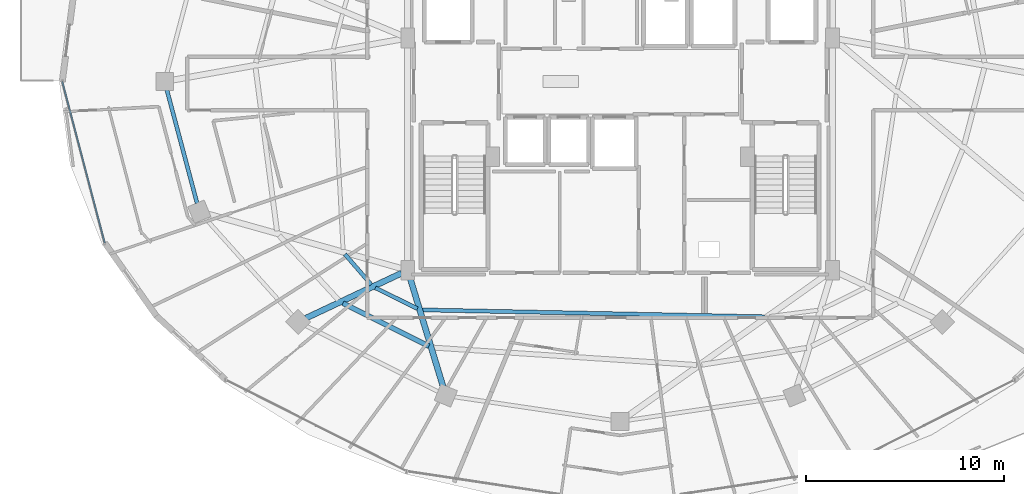
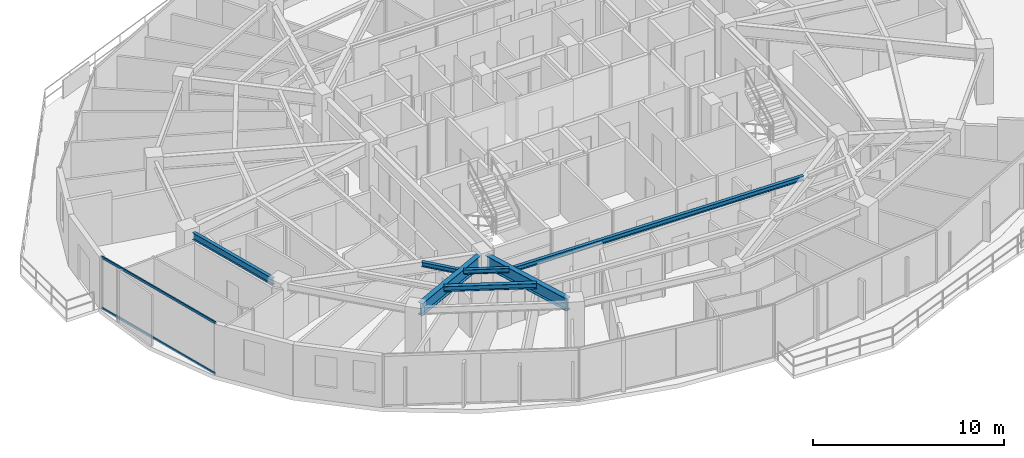
# One storey, part 6 of 34: 7 beams, 2 members, 1 element without a shape of its own.
"""IFC4 building model written with IfcOpenShell, lengths in metres."""

import ifcopenshell
import ifcopenshell.guid

model = None  # the IFC model being written
_history = None  # IfcOwnerHistory: only IFC2X3 demands one
_inside = {}  # id of a spatial element -> (the spatial element, [elements in it])
_under = {}  # id of a project, library or spatial element -> (it, [spatial elements below it])
_declared = {}  # id of a project -> (the project, [libraries it declares])
_typed = {}  # id of a type object -> (the type object, [elements of that type])
_made_of = {}  # id of a material, layer set ... -> (it, [elements and type objects made of it])


def new_model(schema):
    """Start an empty IFC model of exactly this schema.

    Asked for "IFC4X3", IfcOpenShell would pick the latest addendum, in which some entities
    have other attributes; the version numbers below select the first issue.
    IFC2X3 requires an IfcOwnerHistory on every rooted entity: one is made here for all.
    """
    global model, _history
    if schema == "IFC4X3":
        model = ifcopenshell.file(schema_version=(4, 3, 0, 0))
    else:
        model = ifcopenshell.file(schema=schema)
    _inside.clear()
    _under.clear()
    _declared.clear()
    _typed.clear()
    _made_of.clear()
    _history = None
    if model.schema == "IFC2X3":
        org = make("IfcOrganization", Name="unknown")
        user = make(
            "IfcPersonAndOrganization",
            ThePerson=make("IfcPerson", FamilyName="unknown"),
            TheOrganization=org,
        )
        app = make(
            "IfcApplication",
            ApplicationDeveloper=org,
            Version="unknown",
            ApplicationFullName="unknown",
            ApplicationIdentifier="unknown",
        )
        _history = make(
            "IfcOwnerHistory",
            OwningUser=user,
            OwningApplication=app,
            ChangeAction="ADDED",
            CreationDate=0,
        )
    return model


def make(cls, **values):
    """One entity of the class cls with the attributes given. An attribute that is None is left unset."""
    return model.create_entity(
        cls, **{name: value for name, value in values.items() if value is not None}
    )


def rooted(cls, **values):
    """An entity with a GlobalId (a new one), such as an element, a storey or a relation."""
    return make(cls, GlobalId=ifcopenshell.guid.new(), OwnerHistory=_history, **values)


def si_unit(unit_type, name, prefix=None):
    """IfcSIUnit, for example si_unit("LENGTHUNIT", "METRE", prefix="MILLI")."""
    return make("IfcSIUnit", UnitType=unit_type, Prefix=prefix, Name=name)


def assignment(units):
    """IfcUnitAssignment: the units of a project."""
    return None if units is None else make("IfcUnitAssignment", Units=units)


def point(xyz):
    """IfcCartesianPoint."""
    return None if xyz is None else make("IfcCartesianPoint", Coordinates=xyz)


def direction(xyz):
    """IfcDirection."""
    return None if xyz is None else make("IfcDirection", DirectionRatios=xyz)


def frame(location, z_axis=None, x_axis=None):
    """IfcAxis2Placement3D, a coordinate frame: its origin and axes. An axis left out is left unset."""
    return make(
        "IfcAxis2Placement3D",
        Location=point(location),
        Axis=direction(z_axis),
        RefDirection=direction(x_axis),
    )


def frame_2d(location, x_axis=None):
    """IfcAxis2Placement2D, a coordinate frame in the plane: its origin and x axis."""
    return make(
        "IfcAxis2Placement2D", Location=point(location), RefDirection=direction(x_axis)
    )


def origin():
    """The frame at (0, 0, 0) with its axes left unset."""
    return frame((0.0, 0.0, 0.0))


def origin_2d():
    """The frame at (0, 0) in the plane with its x axis left unset."""
    return frame_2d((0.0, 0.0))


def place(relative_to, where):
    """IfcLocalPlacement: puts the frame where relative to a parent placement (None: the world)."""
    return make(
        "IfcLocalPlacement", PlacementRelTo=relative_to, RelativePlacement=where
    )


def context(
    kind, dimensions, precision=None, world=None, true_north=None, identifier=None
):
    """IfcGeometricRepresentationContext, for example the 3D "Model" context."""
    return make(
        "IfcGeometricRepresentationContext",
        ContextIdentifier=identifier,
        ContextType=kind,
        CoordinateSpaceDimension=dimensions,
        Precision=precision,
        WorldCoordinateSystem=world,
        TrueNorth=true_north,
    )


def subcontext(parent, identifier, kind, view, scale=None):
    """IfcGeometricRepresentationSubContext, for example "Body" below "Model"."""
    return make(
        "IfcGeometricRepresentationSubContext",
        ContextIdentifier=identifier,
        ContextType=kind,
        ParentContext=parent,
        TargetScale=scale,
        TargetView=view,
    )


def project(units=None, contexts=None):
    """IfcProject with its units and contexts."""
    return rooted(
        "IfcProject",
        Name="project",
        RepresentationContexts=contexts,
        UnitsInContext=assignment(units),
    )


def spatial(cls, under=None, at=None, **own):
    """A site, building, storey or space (cls), placed at a placement, below another one or the project."""
    s = rooted(cls, ObjectPlacement=at, **own)
    if under is not None:
        _under.setdefault(under.id(), (under, []))[1].append(s)
    return s


def profile(cls, at=None, kind="AREA", **sizes):
    """A parametric profile (cls). Its sizes go by their IFC names, for example OverallWidth=200.0."""
    return make(cls, ProfileType=kind, Position=at, **sizes)


def hollow_rectangle(**sizes):
    """IfcRectangleHollowProfileDef."""
    return profile("IfcRectangleHollowProfileDef", **sizes)


def i_section(**sizes):
    """IfcIShapeProfileDef."""
    return profile("IfcIShapeProfileDef", **sizes)


def extrude(swept, where, along, depth):
    """IfcExtrudedAreaSolid: the profile swept, set in the frame where, extruded along a direction by depth."""
    return make(
        "IfcExtrudedAreaSolid",
        SweptArea=swept,
        Position=where,
        ExtrudedDirection=direction(along),
        Depth=depth,
    )


def shape(context_of_items, identifier, shape_type, items):
    """IfcShapeRepresentation: the items that make up one representation, for example the "Body"."""
    return make(
        "IfcShapeRepresentation",
        ContextOfItems=context_of_items,
        RepresentationIdentifier=identifier,
        RepresentationType=shape_type,
        Items=items,
    )


def material(Name=None, Category=None):
    """IfcMaterial."""
    return make("IfcMaterial", Name=Name, Category=Category)


def material_profile(
    of_material, cross_section, Name=None, Category=None, Priority=None
):
    """IfcMaterialProfile: a cross section and its material."""
    return make(
        "IfcMaterialProfile",
        Name=Name,
        Material=of_material,
        Profile=cross_section,
        Priority=Priority,
        Category=Category,
    )


def profile_set(profiles, Name=None, composite=None):
    """IfcMaterialProfileSet."""
    return make(
        "IfcMaterialProfileSet",
        Name=Name,
        MaterialProfiles=profiles,
        CompositeProfile=composite,
    )


def made_of(thing, what):
    """Note that an element or type object is made of a material, layer set ...; save() writes the relation."""
    if what is not None:
        _made_of.setdefault(what.id(), (what, []))[1].append(thing)
    return thing


def type_object(cls, material=None, **own):
    """A type object (cls), such as IfcWallType, which elements share."""
    return made_of(rooted(cls, **own), material)


def element(
    cls,
    number,
    at=None,
    inside=None,
    cuts=None,
    type_object=None,
    material=None,
    context=None,
    identifier="Body",
    shape_type=None,
    held_by="IfcProductDefinitionShape",
    body=None,
    shapes=None,
    **own,
):
    """One element of the class cls, such as IfcWall. Its Tag is "e" and its number.

    at: its placement. inside: the storey or other place that contains it. cuts: it is an
    opening in that element (IfcRelVoidsElement). A single representation is given by context,
    identifier, shape_type and body (its items); several are given by shapes. held_by: the class
    of the entity that holds the representations. save() writes the other relations.
    """
    e = rooted(cls, Tag="e%d" % number, ObjectPlacement=at, **own)
    if body is not None:
        shapes = [shape(context, identifier, shape_type, body)]
    if shapes is not None:
        e.Representation = make(held_by, Representations=shapes)
    if inside is not None:
        _inside.setdefault(inside.id(), (inside, []))[1].append(e)
    if cuts is not None:
        rooted(
            "IfcRelVoidsElement", RelatingBuildingElement=cuts, RelatedOpeningElement=e
        )
    if type_object is not None:
        _typed.setdefault(type_object.id(), (type_object, []))[1].append(e)
    return made_of(e, material)


def aggregate(whole, parts):
    """IfcRelAggregates: a whole, such as a stair, and the parts it consists of."""
    return rooted("IfcRelAggregates", RelatingObject=whole, RelatedObjects=parts)


def save(model, path):
    """Write the relations noted so far, then the file.

    IfcRelAggregates (storeys below a building ...), IfcRelContainedInSpatialStructure (elements
    in a storey), IfcRelDefinesByType, IfcRelAssociatesMaterial and IfcRelDeclares: one each for
    every whole, place, type object, material and project.
    """
    for whole, parts in _under.values():
        aggregate(whole, parts)
    for where, things in _inside.values():
        rooted(
            "IfcRelContainedInSpatialStructure",
            RelatedElements=things,
            RelatingStructure=where,
        )
    for kind, things in _typed.values():
        rooted("IfcRelDefinesByType", RelatedObjects=things, RelatingType=kind)
    for what, things in _made_of.values():
        rooted("IfcRelAssociatesMaterial", RelatedObjects=things, RelatingMaterial=what)
    for by, libraries in _declared.values():
        rooted("IfcRelDeclares", RelatingContext=by, RelatedDefinitions=libraries)
    model.write(path)


model = new_model("IFC4")

# Units and contexts
model_context = context("Model", 3, precision=1e-05, world=origin(), true_north=direction((0.0, 1.0)))
body_context = subcontext(model_context, "Body", "Model", "MODEL_VIEW")
ifc_project = project(units=[si_unit("LENGTHUNIT", "METRE"), si_unit("AREAUNIT", "SQUARE_METRE"), si_unit("VOLUMEUNIT", "CUBIC_METRE"), si_unit("PLANEANGLEUNIT", "RADIAN"), si_unit("MASSUNIT", "GRAM", prefix="KILO")], contexts=[model_context])

# Site, building, storey
site_placement = place(None, origin())
site = spatial("IfcSite", under=ifc_project, at=site_placement, CompositionType="ELEMENT")
building_placement = place(site_placement, origin())
building = spatial("IfcBuilding", under=site, at=building_placement, Name="Vorneva Point Tower", CompositionType="ELEMENT")
storey_placement = place(building_placement, frame((0.0, 0.0, 214.300048828125)))
storey = spatial("IfcBuildingStorey", under=building, at=storey_placement, Name="L58", CompositionType="ELEMENT", Elevation=214.300048828125)

# Beams
ifc_material_1 = material(Name="Steel S355", Category="steel")
ifc_material_profile_1 = material_profile(ifc_material_1, i_section(OverallWidth=0.300048828125, OverallDepth=0.7880859375, WebThickness=0.014404296875, FlangeThickness=0.02197265625, at=origin_2d()), Name="80Sh1")
ifc_profile_set_1 = profile_set([ifc_material_profile_1], Name="Steel S355")
beam_type_1 = type_object("IfcBeamType", Name="BM-GRD-80Sh1", PredefinedType="USERDEFINED", material=ifc_profile_set_1)
beam_1_placement = place(storey_placement, frame((22.097412109375, 14.0244140625, 2.89599609375), z_axis=(0.904762899762, 0.42591559635, 0.0), x_axis=(-0.42591559635, 0.904762899762, 0.0)))
element("IfcBeam", 1, at=beam_1_placement, inside=storey, type_object=beam_type_1, Name="L58 Radial Primary Girder 11", ObjectType="GIRDER", PredefinedType="USERDEFINED", context=body_context, shape_type="SweptSolid", body=[
    extrude(i_section(OverallWidth=0.300048828125, OverallDepth=0.7880859375, WebThickness=0.014404296875, FlangeThickness=0.02197265625, at=origin_2d()), origin(), (0.0, 0.0, 1.0), 5.35498046875),
])
beam_2_placement = place(storey_placement, frame((29.051513671875, 10.5283203125, 2.89599609375), z_axis=(-0.291025429135, 0.956715317948, 0.0), x_axis=(-0.956715317948, -0.291025429135, 0.0)))
element("IfcBeam", 2, at=beam_2_placement, inside=storey, type_object=beam_type_1, Name="L58 Radial Primary Girder 12", ObjectType="GIRDER", PredefinedType="USERDEFINED", context=body_context, shape_type="SweptSolid", body=[
    extrude(i_section(OverallWidth=0.300048828125, OverallDepth=0.7880859375, WebThickness=0.014404296875, FlangeThickness=0.02197265625, at=origin_2d()), origin(), (0.0, 0.0, 1.0), 5.849609375),
])
ifc_material_profile_2 = material_profile(ifc_material_1, i_section(OverallWidth=0.199951171875, OverallDepth=0.291015625, WebThickness=0.008056640625, FlangeThickness=0.010986328125, at=origin_2d()), Name="30Sh1")
ifc_profile_set_2 = profile_set([ifc_material_profile_2], Name="Steel S355")
beam_type_2 = type_object("IfcBeamType", Name="BM-SEC-30Sh1", PredefinedType="BEAM", material=ifc_profile_set_2)
beam_3_placement = place(storey_placement, frame((24.07373046875, 17.2646484375, 3.14453125), z_axis=(0.652492456858, -0.757795218871, 0.0), x_axis=(0.757795218871, 0.652492456858, 0.0)))
element("IfcBeam", 3, at=beam_3_placement, inside=storey, type_object=beam_type_2, Name="L58 Secondary Floor Beam 2.10", PredefinedType="BEAM", context=body_context, shape_type="SweptSolid", body=[
    extrude(i_section(OverallWidth=0.199951171875, OverallDepth=0.291015625, WebThickness=0.008056640625, FlangeThickness=0.010986328125, at=origin_2d()), origin(), (0.0, 0.0, 1.0), 2.031005859375),
])
beam_4_placement = place(storey_placement, frame((25.612548828125, 15.559814453125, 3.14453125), z_axis=(0.895946483514, -0.4441620185, 0.0), x_axis=(0.4441620185, 0.895946483514, 0.0)))
element("IfcBeam", 4, at=beam_4_placement, inside=storey, type_object=beam_type_2, Name="L58 Secondary Floor Beam 2.11", PredefinedType="BEAM", context=body_context, shape_type="SweptSolid", body=[
    extrude(i_section(OverallWidth=0.199951171875, OverallDepth=0.291015625, WebThickness=0.008056640625, FlangeThickness=0.010986328125, at=origin_2d()), origin(), (0.0, 0.0, 1.0), 2.3701171875),
])
beam_5_placement = place(storey_placement, frame((27.997802734375, 14.443115234375, 3.14453125), z_axis=(0.999798766182, -0.020060586778, 0.0), x_axis=(0.020060586778, 0.999798766182, 0.0)))
element("IfcBeam", 5, at=beam_5_placement, inside=storey, type_object=beam_type_2, Name="L58 Secondary Floor Beam 2.12", PredefinedType="BEAM", context=body_context, shape_type="SweptSolid", body=[
    extrude(i_section(OverallWidth=0.199951171875, OverallDepth=0.291015625, WebThickness=0.008056640625, FlangeThickness=0.010986328125, at=origin_2d()), origin(), (0.0, 0.0, 1.0), 17.305908203125),
])
ifc_material_profile_3 = material_profile(ifc_material_1, i_section(OverallWidth=0.2490234375, OverallDepth=0.333984375, WebThickness=0.008056640625, FlangeThickness=0.010986328125, at=origin_2d()), Name="35Sh1")
ifc_profile_set_3 = profile_set([ifc_material_profile_3], Name="Steel S355")
beam_type_3 = type_object("IfcBeamType", Name="BM-SEC-35Sh1", PredefinedType="BEAM", material=ifc_profile_set_3)
beam_6_placement = place(storey_placement, frame((23.965087890625, 14.78369140625, 3.123046875), z_axis=(0.89410580889, -0.44785578316, 0.0), x_axis=(0.44785578316, 0.89410580889, 0.0)))
element("IfcBeam", 6, at=beam_6_placement, inside=storey, type_object=beam_type_3, Name="L58 Secondary Floor Beam 1.11", PredefinedType="BEAM", context=body_context, shape_type="SweptSolid", body=[
    extrude(i_section(OverallWidth=0.2490234375, OverallDepth=0.333984375, WebThickness=0.008056640625, FlangeThickness=0.010986328125, at=origin_2d()), origin(), (0.0, 0.0, 1.0), 4.865234375),
])
ifc_material_profile_4 = material_profile(ifc_material_1, i_section(OverallWidth=0.198974609375, OverallDepth=0.446044921875, WebThickness=0.008056640625, FlangeThickness=0.011962890625, at=origin_2d()), Name="45B1")
ifc_profile_set_4 = profile_set([ifc_material_profile_4], Name="Steel S355")
beam_type_4 = type_object("IfcBeamType", Name="BM-SPN-45B1", PredefinedType="SPANDREL", material=ifc_profile_set_4)
beam_7_placement = place(storey_placement, frame((15.06201171875, 25.57958984375, 3.06689453125), z_axis=(0.257578258003, -0.966257440336, 0.0), x_axis=(0.966257440336, 0.257578258003, 0.0)))
element("IfcBeam", 7, at=beam_7_placement, inside=storey, type_object=beam_type_4, Name="L58 Perimeter Spandrel Ring Beam 09", PredefinedType="SPANDREL", context=body_context, shape_type="SweptSolid", body=[
    extrude(i_section(OverallWidth=0.198974609375, OverallDepth=0.446044921875, WebThickness=0.008056640625, FlangeThickness=0.011962890625, at=origin_2d()), origin(), (0.0, 0.0, 1.0), 5.94189453125),
])

# Curtain wall, members
ifc_material_2 = material(Name="Pale anodised aluminium", Category="aluminium")
curtain_wall_type = type_object("IfcCurtainWallType", Name="CW-RES-SYS", PredefinedType="NOTDEFINED", material=ifc_material_2)
curtain_wall_placement = place(storey_placement, origin())
curtain_wall = element("IfcCurtainWall", 8, at=curtain_wall_placement, inside=storey, type_object=curtain_wall_type, Name="L58 Unitised Curtain Wall CW-L58-R03", PredefinedType="NOTDEFINED")
ifc_material_profile_5 = material_profile(ifc_material_2, hollow_rectangle(XDim=0.074951171875, YDim=0.14990234375, WallThickness=0.00390625, at=origin_2d()), Name="AL-TRN 150x75x4")
ifc_profile_set_5 = profile_set([ifc_material_profile_5], Name="Pale anodised aluminium")
member_type = type_object("IfcMemberType", Name="CW-TRN-150", PredefinedType="USERDEFINED", material=ifc_profile_set_5)
member_1_placement = place(storey_placement, frame((9.77001953125, 26.0, 0.02001953125), z_axis=(0.254362431281, -0.967108966742, 0.0), x_axis=(0.967108966742, 0.254362431281, 0.0)))
member_1 = element("IfcMember", 9, at=member_1_placement, type_object=member_type, Name="CW-L58-R03 Transom 01.1", ObjectType="TRANSOM", PredefinedType="USERDEFINED", context=body_context, shape_type="SweptSolid", body=[
    extrude(hollow_rectangle(XDim=0.074951171875, YDim=0.14990234375, WallThickness=0.00390625, at=origin_2d()), origin(), (0.0, 0.0, 1.0), 8.4482421875),
])
member_2_placement = place(storey_placement, frame((9.77001953125, 26.0, 3.27001953125), z_axis=(0.254362431281, -0.967108966742, 0.0), x_axis=(0.967108966742, 0.254362431281, 0.0)))
member_2 = element("IfcMember", 10, at=member_2_placement, type_object=member_type, Name="CW-L58-R03 Transom 01.2", ObjectType="TRANSOM", PredefinedType="USERDEFINED", context=body_context, shape_type="SweptSolid", body=[
    extrude(hollow_rectangle(XDim=0.074951171875, YDim=0.14990234375, WallThickness=0.00390625, at=origin_2d()), origin(), (0.0, 0.0, 1.0), 8.4482421875),
])
aggregate(curtain_wall, [member_1, member_2])

save(model, "model.ifc")
